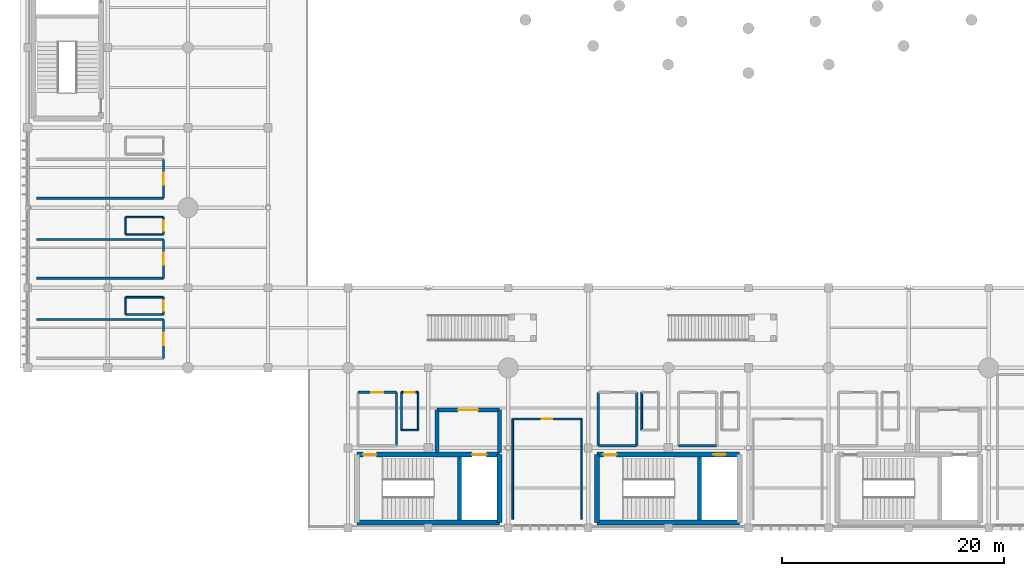
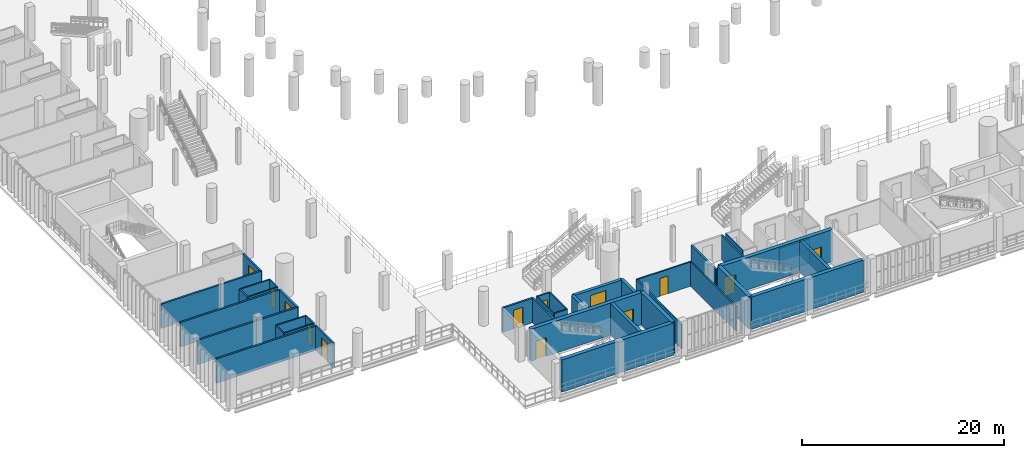
# One storey, part 101 of 130: 40 walls, 13 doors, 13 openings.
"""IFC4 building model written with IfcOpenShell, lengths in metres."""

from ifc_helpers import new_model, si_unit, direction, frame, frame_2d, origin, place, context, subcontext, project, spatial, rectangle, extrude, material, layer, layer_set, type_object, element, fill, save


model = new_model("IFC4")

# Units and contexts
model_context = context("Model", 3, precision=1e-05, world=origin(), true_north=direction((0.0, 1.0)))
body_context = subcontext(model_context, "Body", "Model", "MODEL_VIEW")
ifc_project = project(units=[si_unit("LENGTHUNIT", "METRE"), si_unit("AREAUNIT", "SQUARE_METRE"), si_unit("VOLUMEUNIT", "CUBIC_METRE"), si_unit("PLANEANGLEUNIT", "RADIAN"), si_unit("MASSUNIT", "GRAM", prefix="KILO")], contexts=[model_context])

# Site, building, storey
site_placement = place(None, origin())
site = spatial("IfcSite", under=ifc_project, at=site_placement, CompositionType="ELEMENT")
building_placement = place(site_placement, origin())
building = spatial("IfcBuilding", under=site, at=building_placement, Name="Qandorah Velis Arena", CompositionType="ELEMENT")
storey_placement = place(building_placement, frame((0.0, 0.0, 9.60009765625)))
storey = spatial("IfcBuildingStorey", under=building, at=storey_placement, Name="L02", CompositionType="ELEMENT", Elevation=9.60009765625)

# Wall, opening, door
ifc_material_1 = material(Name="Concrete C35/45", Category="concrete")
ifc_layer_1 = layer(ifc_material_1, 0.199951171875)
ifc_layer_set_1 = layer_set([ifc_layer_1], Name="Concrete C35/45")
wall_type_1 = type_object("IfcWallType", Name="ARC-WAL-FD60-200", PredefinedType="PARTITIONING", material=ifc_layer_set_1)
wall_1_placement = place(storey_placement, frame((12.199951171875, 15.25, 0.0), z_axis=(0.0, 0.0, 1.0), x_axis=(0.0, 1.0, 0.0)))
wall_1 = element("IfcWall", 1, at=wall_1_placement, inside=storey, type_object=wall_type_1, Name="Interior partition L02-HS-01 (E)", PredefinedType="PARTITIONING", context=body_context, shape_type="SweptSolid", body=[
    extrude(rectangle(XDim=3.5, YDim=0.199951171875, at=frame_2d((1.75, 0.0))), origin(), (0.0, 0.0, 1.0), 2.93994140625),
])
opening_1_placement = place(wall_1_placement, frame((1.199951171875, 0.0, 0.0)))
opening_1 = element("IfcOpeningElement", 2, at=opening_1_placement, cuts=wall_1, Name="Opening D7", PredefinedType="OPENING", context=body_context, shape_type="SweptSolid", body=[
    extrude(rectangle(XDim=1.10009765625, YDim=2.25, at=frame_2d((0.550048828125, 1.125))), frame((0.0, 0.10986328125, 0.0), z_axis=(0.0, -1.0, 0.0), x_axis=(1.0, 0.0, 0.0)), (0.0, 0.0, 1.0), 0.219970703125),
])
ifc_material_2 = material(Name="Hospitality suite acoustic walnut door")
door_type_1 = type_object("IfcDoorType", Name="ARC-DR-INT1100", OperationType="NOTDEFINED", PredefinedType="DOOR", material=ifc_material_2)
door_1_placement = place(opening_1_placement, origin())
door_1 = element("IfcDoor", 3, at=door_1_placement, inside=storey, type_object=door_type_1, Name="Door L02-HS-01", OperationType="SINGLE_SWING_LEFT", OverallHeight=2.25, OverallWidth=1.10009765625, PredefinedType="DOOR", context=body_context, shape_type="SweptSolid", body=[
    extrude(rectangle(XDim=1.10009765625, YDim=2.25, at=frame_2d((0.550048828125, 1.125))), frame((0.0, 0.02490234375, 0.0), z_axis=(0.0, -1.0, 0.0), x_axis=(1.0, 0.0, 0.0)), (0.0, 0.0, 1.0), 0.050048828125),
])
fill(opening_1, door_1)

# Walls
for number, where, z_axis, x_axis, name in (
    (4, (12.199951171875, 18.75, 0.0), (0.0, 0.0, 1.0), (-1.0, 0.0, 0.0), "Interior partition L02-HS-01 (N)"),
    (5, (0.800048828125, 22.449951171875, 0.0), (0.0, 0.0, 1.0), (1.0, 0.0, 0.0), "Interior partition L02-HS-02 (S)"),
):
    element("IfcWall", number, at=place(storey_placement, frame(where, z_axis=z_axis, x_axis=x_axis)), inside=storey, type_object=wall_type_1, Name=name, PredefinedType="PARTITIONING", context=body_context, shape_type="SweptSolid", body=[
        extrude(rectangle(XDim=11.39990234375, YDim=0.199951171875, at=frame_2d((5.699951171875, 0.0))), origin(), (0.0, 0.0, 1.0), 2.93994140625),
    ])

# Wall, opening, door
wall_2_placement = place(storey_placement, frame((12.199951171875, 22.449951171875, 0.0), z_axis=(0.0, 0.0, 1.0), x_axis=(0.0, 1.0, 0.0)))
wall_2 = element("IfcWall", 6, at=wall_2_placement, inside=storey, type_object=wall_type_1, Name="Interior partition L02-HS-02 (E)", PredefinedType="PARTITIONING", context=body_context, shape_type="SweptSolid", body=[
    extrude(rectangle(XDim=3.5, YDim=0.199951171875, at=frame_2d((1.75, 0.0))), origin(), (0.0, 0.0, 1.0), 2.93994140625),
])
opening_2_placement = place(wall_2_placement, frame((1.199951171875, 0.0, 0.0)))
opening_2 = element("IfcOpeningElement", 7, at=opening_2_placement, cuts=wall_2, Name="Opening D7", PredefinedType="OPENING", context=body_context, shape_type="SweptSolid", body=[
    extrude(rectangle(XDim=1.10009765625, YDim=2.25, at=frame_2d((0.550048828125, 1.125))), frame((0.0, 0.10986328125, 0.0), z_axis=(0.0, -1.0, 0.0), x_axis=(1.0, 0.0, 0.0)), (0.0, 0.0, 1.0), 0.219970703125),
])
door_2_placement = place(opening_2_placement, origin())
door_2 = element("IfcDoor", 8, at=door_2_placement, inside=storey, type_object=door_type_1, Name="Door L02-HS-02", OperationType="SINGLE_SWING_LEFT", OverallHeight=2.25, OverallWidth=1.10009765625, PredefinedType="DOOR", context=body_context, shape_type="SweptSolid", body=[
    extrude(rectangle(XDim=1.10009765625, YDim=2.25, at=frame_2d((0.550048828125, 1.125))), frame((0.0, 0.02490234375, 0.0), z_axis=(0.0, -1.0, 0.0), x_axis=(1.0, 0.0, 0.0)), (0.0, 0.0, 1.0), 0.050048828125),
])
fill(opening_2, door_2)

# Walls
for number, where, z_axis, x_axis, name in (
    (9, (12.199951171875, 25.949951171875, 0.0), (0.0, 0.0, 1.0), (-1.0, 0.0, 0.0), "Interior partition L02-HS-02 (N)"),
    (10, (0.800048828125, 29.64990234375, 0.0), (0.0, 0.0, 1.0), (1.0, 0.0, 0.0), "Interior partition L02-HS-03 (S)"),
):
    element("IfcWall", number, at=place(storey_placement, frame(where, z_axis=z_axis, x_axis=x_axis)), inside=storey, type_object=wall_type_1, Name=name, PredefinedType="PARTITIONING", context=body_context, shape_type="SweptSolid", body=[
        extrude(rectangle(XDim=11.39990234375, YDim=0.199951171875, at=frame_2d((5.699951171875, 0.0))), origin(), (0.0, 0.0, 1.0), 2.93994140625),
    ])

# Wall, opening, door
wall_3_placement = place(storey_placement, frame((12.199951171875, 29.64990234375, 0.0), z_axis=(0.0, 0.0, 1.0), x_axis=(0.0, 1.0, 0.0)))
wall_3 = element("IfcWall", 11, at=wall_3_placement, inside=storey, type_object=wall_type_1, Name="Interior partition L02-HS-03 (E)", PredefinedType="PARTITIONING", context=body_context, shape_type="SweptSolid", body=[
    extrude(rectangle(XDim=3.5, YDim=0.199951171875, at=frame_2d((1.75, 0.0))), origin(), (0.0, 0.0, 1.0), 2.93994140625),
])
opening_3_placement = place(wall_3_placement, frame((1.199951171875, 0.0, 0.0)))
opening_3 = element("IfcOpeningElement", 12, at=opening_3_placement, cuts=wall_3, Name="Opening D7", PredefinedType="OPENING", context=body_context, shape_type="SweptSolid", body=[
    extrude(rectangle(XDim=1.10009765625, YDim=2.25, at=frame_2d((0.550048828125, 1.125))), frame((0.0, 0.10986328125, 0.0), z_axis=(0.0, -1.0, 0.0), x_axis=(1.0, 0.0, 0.0)), (0.0, 0.0, 1.0), 0.219970703125),
])
door_3_placement = place(opening_3_placement, origin())
door_3 = element("IfcDoor", 13, at=door_3_placement, inside=storey, type_object=door_type_1, Name="Door L02-HS-03", OperationType="SINGLE_SWING_LEFT", OverallHeight=2.25, OverallWidth=1.10009765625, PredefinedType="DOOR", context=body_context, shape_type="SweptSolid", body=[
    extrude(rectangle(XDim=1.10009765625, YDim=2.25, at=frame_2d((0.550048828125, 1.125))), frame((0.0, 0.02490234375, 0.0), z_axis=(0.0, -1.0, 0.0), x_axis=(1.0, 0.0, 0.0)), (0.0, 0.0, 1.0), 0.050048828125),
])
fill(opening_3, door_3)

# Wall
wall_4_placement = place(storey_placement, frame((33.14990234375, 7.39990234375, 0.0), z_axis=(0.0, 0.0, 1.0), x_axis=(0.0, 1.0, 0.0)))
element("IfcWall", 14, at=wall_4_placement, inside=storey, type_object=wall_type_1, Name="Interior partition L02-HS-11 (E)", PredefinedType="PARTITIONING", context=body_context, shape_type="SweptSolid", body=[
    extrude(rectangle(XDim=4.800048828125, YDim=0.199951171875, at=frame_2d((2.39990234375, 0.0))), origin(), (0.0, 0.0, 1.0), 2.93994140625),
])

# Wall, opening, door
wall_5_placement = place(storey_placement, frame((33.14990234375, 12.199951171875, 0.0), z_axis=(0.0, 0.0, 1.0), x_axis=(-1.0, 0.0, 0.0)))
wall_5 = element("IfcWall", 15, at=wall_5_placement, inside=storey, type_object=wall_type_1, Name="Interior partition L02-HS-11 (N)", PredefinedType="PARTITIONING", context=body_context, shape_type="SweptSolid", body=[
    extrude(rectangle(XDim=3.449951171875, YDim=0.199951171875, at=frame_2d((1.72509765625, 0.0))), origin(), (0.0, 0.0, 1.0), 2.93994140625),
])
opening_4_placement = place(wall_5_placement, frame((1.175048828125, 0.0, 0.0)))
opening_4 = element("IfcOpeningElement", 16, at=opening_4_placement, cuts=wall_5, Name="Opening D7", PredefinedType="OPENING", context=body_context, shape_type="SweptSolid", body=[
    extrude(rectangle(XDim=1.10009765625, YDim=2.25, at=frame_2d((0.550048828125, 1.125))), frame((0.0, 0.10986328125, 0.0), z_axis=(0.0, -1.0, 0.0), x_axis=(1.0, 0.0, 0.0)), (0.0, 0.0, 1.0), 0.219970703125),
])
door_4_placement = place(opening_4_placement, origin())
door_4 = element("IfcDoor", 17, at=door_4_placement, inside=storey, type_object=door_type_1, Name="Door L02-HS-11", OperationType="SINGLE_SWING_LEFT", OverallHeight=2.25, OverallWidth=1.10009765625, PredefinedType="DOOR", context=body_context, shape_type="SweptSolid", body=[
    extrude(rectangle(XDim=1.10009765625, YDim=2.25, at=frame_2d((0.550048828125, 1.125))), frame((0.0, 0.02490234375, 0.0), z_axis=(0.0, -1.0, 0.0), x_axis=(1.0, 0.0, 0.0)), (0.0, 0.0, 1.0), 0.050048828125),
])
fill(opening_4, door_4)

# Walls
wall_6_placement = place(storey_placement, frame((51.300048828125, 7.39990234375, 0.0), z_axis=(0.0, 0.0, 1.0), x_axis=(1.0, 0.0, 0.0)))
element("IfcWall", 18, at=wall_6_placement, inside=storey, type_object=wall_type_1, Name="Interior partition L02-HS-12 (S)", PredefinedType="PARTITIONING", context=body_context, shape_type="SweptSolid", body=[
    extrude(rectangle(XDim=3.449951171875, YDim=0.199951171875, at=frame_2d((1.72509765625, 0.0))), origin(), (0.0, 0.0, 1.0), 2.93994140625),
])
for number, where, z_axis, x_axis, name in (
    (19, (54.75, 7.39990234375, 0.0), (0.0, 0.0, 1.0), (0.0, 1.0, 0.0), "Interior partition L02-HS-12 (E)"),
    (20, (51.300048828125, 12.199951171875, 0.0), (0.0, 0.0, 1.0), (0.0, -1.0, 0.0), "Interior partition L02-HS-12 (W)"),
):
    element("IfcWall", number, at=place(storey_placement, frame(where, z_axis=z_axis, x_axis=x_axis)), inside=storey, type_object=wall_type_1, Name=name, PredefinedType="PARTITIONING", context=body_context, shape_type="SweptSolid", body=[
        extrude(rectangle(XDim=4.800048828125, YDim=0.199951171875, at=frame_2d((2.39990234375, 0.0))), origin(), (0.0, 0.0, 1.0), 2.93994140625),
    ])
wall_7_placement = place(storey_placement, frame((58.5, 7.39990234375, 0.0), z_axis=(0.0, 0.0, 1.0), x_axis=(1.0, 0.0, 0.0)))
element("IfcWall", 21, at=wall_7_placement, inside=storey, type_object=wall_type_1, Name="Interior partition L02-HS-13 (S)", PredefinedType="PARTITIONING", context=body_context, shape_type="SweptSolid", body=[
    extrude(rectangle(XDim=3.449951171875, YDim=0.199951171875, at=frame_2d((1.72509765625, 0.0))), origin(), (0.0, 0.0, 1.0), 2.93994140625),
])
ifc_layer_2 = layer(ifc_material_1, 0.14990234375)
ifc_layer_set_2 = layer_set([ifc_layer_2], Name="Concrete C35/45")
wall_type_2 = type_object("IfcWallType", Name="ARC-WAL-PART150", PredefinedType="PARTITIONING", material=ifc_layer_set_2)
wall_8_placement = place(storey_placement, frame((49.800048828125, 0.800048828125, 0.0), z_axis=(0.0, 0.0, 1.0), x_axis=(0.0, 1.0, 0.0)))
element("IfcWall", 22, at=wall_8_placement, inside=storey, type_object=wall_type_2, Name="Interior partition L02-L02-MWC1 (E)", PredefinedType="PARTITIONING", context=body_context, shape_type="SweptSolid", body=[
    extrude(rectangle(XDim=9.0, YDim=0.14990234375, at=frame_2d((4.5, 0.0))), origin(), (0.0, 0.0, 1.0), 2.93994140625),
])

# Wall, opening, door
wall_9_placement = place(storey_placement, frame((49.800048828125, 9.800048828125, 0.0), z_axis=(0.0, 0.0, 1.0), x_axis=(-1.0, 0.0, 0.0)))
wall_9 = element("IfcWall", 23, at=wall_9_placement, inside=storey, type_object=wall_type_2, Name="Interior partition L02-L02-MWC1 (N)", PredefinedType="PARTITIONING", context=body_context, shape_type="SweptSolid", body=[
    extrude(rectangle(XDim=6.199951171875, YDim=0.14990234375, at=frame_2d((3.10009765625, 0.0))), origin(), (0.0, 0.0, 1.0), 2.93994140625),
])
opening_5_placement = place(wall_9_placement, frame((2.625, 0.0, 0.0)))
opening_5 = element("IfcOpeningElement", 24, at=opening_5_placement, cuts=wall_9, Name="Opening D4", PredefinedType="OPENING", context=body_context, shape_type="SweptSolid", body=[
    extrude(rectangle(XDim=0.949951171875, YDim=2.14990234375, at=frame_2d((0.47509765625, 1.074951171875))), frame((0.0, 0.0849609375, 0.0), z_axis=(0.0, -1.0, 0.0), x_axis=(1.0, 0.0, 0.0)), (0.0, 0.0, 1.0), 0.169921875),
])
ifc_material_3 = material(Name="Moisture-resistant laminate door")
door_type_2 = type_object("IfcDoorType", Name="ARC-DR-WC950", OperationType="NOTDEFINED", PredefinedType="DOOR", material=ifc_material_3)
door_5_placement = place(opening_5_placement, origin())
door_5 = element("IfcDoor", 25, at=door_5_placement, inside=storey, type_object=door_type_2, Name="Door L02-L02-MWC1", OperationType="SINGLE_SWING_LEFT", OverallHeight=2.14990234375, OverallWidth=0.949951171875, PredefinedType="DOOR", context=body_context, shape_type="SweptSolid", body=[
    extrude(rectangle(XDim=0.949951171875, YDim=2.14990234375, at=frame_2d((0.47509765625, 1.074951171875))), frame((0.0, 0.02490234375, 0.0), z_axis=(0.0, -1.0, 0.0), x_axis=(1.0, 0.0, 0.0)), (0.0, 0.0, 1.0), 0.050048828125),
])
fill(opening_5, door_5)

# Walls
wall_10_placement = place(storey_placement, frame((43.60009765625, 9.800048828125, 0.0), z_axis=(0.0, 0.0, 1.0), x_axis=(0.0, -1.0, 0.0)))
element("IfcWall", 26, at=wall_10_placement, inside=storey, type_object=wall_type_2, Name="Interior partition L02-L02-MWC1 (W)", PredefinedType="PARTITIONING", context=body_context, shape_type="SweptSolid", body=[
    extrude(rectangle(XDim=9.0, YDim=0.14990234375, at=frame_2d((4.5, 0.0))), origin(), (0.0, 0.0, 1.0), 2.93994140625),
])
wall_11_placement = place(storey_placement, frame((8.800048828125, 19.199951171875, 0.0), z_axis=(0.0, 0.0, 1.0), x_axis=(1.0, 0.0, 0.0)))
element("IfcWall", 27, at=wall_11_placement, inside=storey, type_object=wall_type_2, Name="Interior partition L02-HSWC-01 (S)", PredefinedType="PARTITIONING", context=body_context, shape_type="SweptSolid", body=[
    extrude(rectangle(XDim=3.39990234375, YDim=0.14990234375, at=frame_2d((1.699951171875, 0.0))), origin(), (0.0, 0.0, 1.0), 2.93994140625),
])

# Wall, opening, door
wall_12_placement = place(storey_placement, frame((12.199951171875, 19.199951171875, 0.0), z_axis=(0.0, 0.0, 1.0), x_axis=(0.0, 1.0, 0.0)))
wall_12 = element("IfcWall", 28, at=wall_12_placement, inside=storey, type_object=wall_type_2, Name="Interior partition L02-HSWC-01 (E)", PredefinedType="PARTITIONING", context=body_context, shape_type="SweptSolid", body=[
    extrude(rectangle(XDim=1.550048828125, YDim=0.14990234375, at=frame_2d((0.77490234375, 0.0))), origin(), (0.0, 0.0, 1.0), 2.93994140625),
])
opening_6_placement = place(wall_12_placement, frame((0.324951171875, 0.0, 0.0)))
opening_6 = element("IfcOpeningElement", 29, at=opening_6_placement, cuts=wall_12, Name="Opening D8", PredefinedType="OPENING", context=body_context, shape_type="SweptSolid", body=[
    extrude(rectangle(XDim=0.89990234375, YDim=2.14990234375, at=frame_2d((0.449951171875, 1.074951171875))), frame((0.0, 0.0849609375, 0.0), z_axis=(0.0, -1.0, 0.0), x_axis=(1.0, 0.0, 0.0)), (0.0, 0.0, 1.0), 0.169921875),
])
ifc_material_4 = material(Name="Suite en-suite walnut door")
door_type_3 = type_object("IfcDoorType", Name="ARC-DR-WC900", OperationType="NOTDEFINED", PredefinedType="DOOR", material=ifc_material_4)
door_6_placement = place(opening_6_placement, frame((0.89990234375, 0.0, 0.0), z_axis=(0.0, 0.0, 1.0), x_axis=(-1.0, 0.0, 0.0)))
door_6 = element("IfcDoor", 30, at=door_6_placement, inside=storey, type_object=door_type_3, Name="Door L02-HSWC-01", OperationType="SINGLE_SWING_RIGHT", OverallHeight=2.14990234375, OverallWidth=0.89990234375, PredefinedType="DOOR", context=body_context, shape_type="SweptSolid", body=[
    extrude(rectangle(XDim=0.89990234375, YDim=2.14990234375, at=frame_2d((0.449951171875, 1.074951171875))), frame((0.0, 0.02490234375, 0.0), z_axis=(0.0, -1.0, 0.0), x_axis=(1.0, 0.0, 0.0)), (0.0, 0.0, 1.0), 0.050048828125),
])
fill(opening_6, door_6)

# Walls
wall_13_placement = place(storey_placement, frame((12.199951171875, 20.75, 0.0), z_axis=(0.0, 0.0, 1.0), x_axis=(-1.0, 0.0, 0.0)))
element("IfcWall", 31, at=wall_13_placement, inside=storey, type_object=wall_type_2, Name="Interior partition L02-HSWC-01 (N)", PredefinedType="PARTITIONING", context=body_context, shape_type="SweptSolid", body=[
    extrude(rectangle(XDim=3.39990234375, YDim=0.14990234375, at=frame_2d((1.699951171875, 0.0))), origin(), (0.0, 0.0, 1.0), 2.93994140625),
])
wall_14_placement = place(storey_placement, frame((8.800048828125, 20.75, 0.0), z_axis=(0.0, 0.0, 1.0), x_axis=(0.0, -1.0, 0.0)))
element("IfcWall", 32, at=wall_14_placement, inside=storey, type_object=wall_type_2, Name="Interior partition L02-HSWC-01 (W)", PredefinedType="PARTITIONING", context=body_context, shape_type="SweptSolid", body=[
    extrude(rectangle(XDim=1.550048828125, YDim=0.14990234375, at=frame_2d((0.77490234375, 0.0))), origin(), (0.0, 0.0, 1.0), 2.93994140625),
])
wall_15_placement = place(storey_placement, frame((8.800048828125, 26.39990234375, 0.0), z_axis=(0.0, 0.0, 1.0), x_axis=(1.0, 0.0, 0.0)))
element("IfcWall", 33, at=wall_15_placement, inside=storey, type_object=wall_type_2, Name="Interior partition L02-HSWC-02 (S)", PredefinedType="PARTITIONING", context=body_context, shape_type="SweptSolid", body=[
    extrude(rectangle(XDim=3.39990234375, YDim=0.14990234375, at=frame_2d((1.699951171875, 0.0))), origin(), (0.0, 0.0, 1.0), 2.93994140625),
])

# Wall, opening, door
wall_16_placement = place(storey_placement, frame((12.199951171875, 26.39990234375, 0.0), z_axis=(0.0, 0.0, 1.0), x_axis=(0.0, 1.0, 0.0)))
wall_16 = element("IfcWall", 34, at=wall_16_placement, inside=storey, type_object=wall_type_2, Name="Interior partition L02-HSWC-02 (E)", PredefinedType="PARTITIONING", context=body_context, shape_type="SweptSolid", body=[
    extrude(rectangle(XDim=1.550048828125, YDim=0.14990234375, at=frame_2d((0.77490234375, 0.0))), origin(), (0.0, 0.0, 1.0), 2.93994140625),
])
opening_7_placement = place(wall_16_placement, frame((0.324951171875, 0.0, 0.0)))
opening_7 = element("IfcOpeningElement", 35, at=opening_7_placement, cuts=wall_16, Name="Opening D8", PredefinedType="OPENING", context=body_context, shape_type="SweptSolid", body=[
    extrude(rectangle(XDim=0.89990234375, YDim=2.14990234375, at=frame_2d((0.449951171875, 1.074951171875))), frame((0.0, 0.0849609375, 0.0), z_axis=(0.0, -1.0, 0.0), x_axis=(1.0, 0.0, 0.0)), (0.0, 0.0, 1.0), 0.169921875),
])
door_7_placement = place(opening_7_placement, frame((0.89990234375, 0.0, 0.0), z_axis=(0.0, 0.0, 1.0), x_axis=(-1.0, 0.0, 0.0)))
door_7 = element("IfcDoor", 36, at=door_7_placement, inside=storey, type_object=door_type_3, Name="Door L02-HSWC-02", OperationType="SINGLE_SWING_RIGHT", OverallHeight=2.14990234375, OverallWidth=0.89990234375, PredefinedType="DOOR", context=body_context, shape_type="SweptSolid", body=[
    extrude(rectangle(XDim=0.89990234375, YDim=2.14990234375, at=frame_2d((0.449951171875, 1.074951171875))), frame((0.0, 0.02490234375, 0.0), z_axis=(0.0, -1.0, 0.0), x_axis=(1.0, 0.0, 0.0)), (0.0, 0.0, 1.0), 0.050048828125),
])
fill(opening_7, door_7)

# Walls
wall_17_placement = place(storey_placement, frame((12.199951171875, 27.949951171875, 0.0), z_axis=(0.0, 0.0, 1.0), x_axis=(-1.0, 0.0, 0.0)))
element("IfcWall", 37, at=wall_17_placement, inside=storey, type_object=wall_type_2, Name="Interior partition L02-HSWC-02 (N)", PredefinedType="PARTITIONING", context=body_context, shape_type="SweptSolid", body=[
    extrude(rectangle(XDim=3.39990234375, YDim=0.14990234375, at=frame_2d((1.699951171875, 0.0))), origin(), (0.0, 0.0, 1.0), 2.93994140625),
])
wall_18_placement = place(storey_placement, frame((8.800048828125, 27.949951171875, 0.0), z_axis=(0.0, 0.0, 1.0), x_axis=(0.0, -1.0, 0.0)))
element("IfcWall", 38, at=wall_18_placement, inside=storey, type_object=wall_type_2, Name="Interior partition L02-HSWC-02 (W)", PredefinedType="PARTITIONING", context=body_context, shape_type="SweptSolid", body=[
    extrude(rectangle(XDim=1.550048828125, YDim=0.14990234375, at=frame_2d((0.77490234375, 0.0))), origin(), (0.0, 0.0, 1.0), 2.93994140625),
])
wall_19_placement = place(storey_placement, frame((33.60009765625, 8.800048828125, 0.0), z_axis=(0.0, 0.0, 1.0), x_axis=(1.0, 0.0, 0.0)))
element("IfcWall", 39, at=wall_19_placement, inside=storey, type_object=wall_type_2, Name="Interior partition L02-HSWC-11 (S)", PredefinedType="PARTITIONING", context=body_context, shape_type="SweptSolid", body=[
    extrude(rectangle(XDim=1.5, YDim=0.14990234375, at=frame_2d((0.75, 0.0))), origin(), (0.0, 0.0, 1.0), 2.93994140625),
])
wall_20_placement = place(storey_placement, frame((35.10009765625, 8.800048828125, 0.0), z_axis=(0.0, 0.0, 1.0), x_axis=(0.0, 1.0, 0.0)))
element("IfcWall", 40, at=wall_20_placement, inside=storey, type_object=wall_type_2, Name="Interior partition L02-HSWC-11 (E)", PredefinedType="PARTITIONING", context=body_context, shape_type="SweptSolid", body=[
    extrude(rectangle(XDim=3.39990234375, YDim=0.14990234375, at=frame_2d((1.699951171875, 0.0))), origin(), (0.0, 0.0, 1.0), 2.93994140625),
])

# Wall, opening, door
wall_21_placement = place(storey_placement, frame((35.10009765625, 12.199951171875, 0.0), z_axis=(0.0, 0.0, 1.0), x_axis=(-1.0, 0.0, 0.0)))
wall_21 = element("IfcWall", 41, at=wall_21_placement, inside=storey, type_object=wall_type_2, Name="Interior partition L02-HSWC-11 (N)", PredefinedType="PARTITIONING", context=body_context, shape_type="SweptSolid", body=[
    extrude(rectangle(XDim=1.5, YDim=0.14990234375, at=frame_2d((0.75, 0.0))), origin(), (0.0, 0.0, 1.0), 2.93994140625),
])
opening_8_placement = place(wall_21_placement, frame((0.300048828125, 0.0, 0.0)))
opening_8 = element("IfcOpeningElement", 42, at=opening_8_placement, cuts=wall_21, Name="Opening D8", PredefinedType="OPENING", context=body_context, shape_type="SweptSolid", body=[
    extrude(rectangle(XDim=0.89990234375, YDim=2.14990234375, at=frame_2d((0.449951171875, 1.074951171875))), frame((0.0, 0.0849609375, 0.0), z_axis=(0.0, -1.0, 0.0), x_axis=(1.0, 0.0, 0.0)), (0.0, 0.0, 1.0), 0.169921875),
])
door_8_placement = place(opening_8_placement, frame((0.89990234375, 0.0, 0.0), z_axis=(0.0, 0.0, 1.0), x_axis=(-1.0, 0.0, 0.0)))
door_8 = element("IfcDoor", 43, at=door_8_placement, inside=storey, type_object=door_type_3, Name="Door L02-HSWC-11", OperationType="SINGLE_SWING_RIGHT", OverallHeight=2.14990234375, OverallWidth=0.89990234375, PredefinedType="DOOR", context=body_context, shape_type="SweptSolid", body=[
    extrude(rectangle(XDim=0.89990234375, YDim=2.14990234375, at=frame_2d((0.449951171875, 1.074951171875))), frame((0.0, 0.02490234375, 0.0), z_axis=(0.0, -1.0, 0.0), x_axis=(1.0, 0.0, 0.0)), (0.0, 0.0, 1.0), 0.050048828125),
])
fill(opening_8, door_8)

# Walls
for number, where, z_axis, x_axis, name in (
    (44, (33.60009765625, 12.199951171875, 0.0), (0.0, 0.0, 1.0), (0.0, -1.0, 0.0), "Interior partition L02-HSWC-11 (W)"),
    (45, (55.199951171875, 12.199951171875, 0.0), (0.0, 0.0, 1.0), (0.0, -1.0, 0.0), "Interior partition L02-HSWC-12 (W)"),
):
    element("IfcWall", number, at=place(storey_placement, frame(where, z_axis=z_axis, x_axis=x_axis)), inside=storey, type_object=wall_type_2, Name=name, PredefinedType="PARTITIONING", context=body_context, shape_type="SweptSolid", body=[
        extrude(rectangle(XDim=3.39990234375, YDim=0.14990234375, at=frame_2d((1.699951171875, 0.0))), origin(), (0.0, 0.0, 1.0), 2.93994140625),
    ])
ifc_material_5 = material(Name="Concrete C40/50", Category="concrete")
ifc_layer_3 = layer(ifc_material_5, 0.449951171875)
ifc_layer_set_3 = layer_set([ifc_layer_3], Name="Concrete C40/50")
wall_type_3 = type_object("IfcWallType", Name="STR-WAL-CORE450", PredefinedType="SHEAR", material=ifc_layer_set_3)
wall_22_placement = place(storey_placement, frame((29.60009765625, 0.5, 0.0), z_axis=(0.0, 0.0, 1.0), x_axis=(1.0, 0.0, 0.0)))
element("IfcWall", 46, at=wall_22_placement, inside=storey, type_object=wall_type_3, Name="Core CORE-01 shear wall S (L02)", PredefinedType="SHEAR", context=body_context, shape_type="SweptSolid", body=[
    extrude(rectangle(XDim=12.7998046875, YDim=0.449951171875, at=frame_2d((6.39990234375, 0.0))), origin(), (0.0, 0.0, 1.0), 3.8798828125),
])

# Wall, openings, doors
wall_23_placement = place(storey_placement, frame((29.60009765625, 6.60009765625, 0.0), z_axis=(0.0, 0.0, 1.0), x_axis=(1.0, 0.0, 0.0)))
wall_23 = element("IfcWall", 47, at=wall_23_placement, inside=storey, type_object=wall_type_3, Name="Core CORE-01 shear wall N (L02)", PredefinedType="SHEAR", context=body_context, shape_type="SweptSolid", body=[
    extrude(rectangle(XDim=12.7998046875, YDim=0.449951171875, at=frame_2d((6.39990234375, 0.0))), origin(), (0.0, 0.0, 1.0), 3.8798828125),
])
opening_9_placement = place(wall_23_placement, frame((0.550048828125, 0.0, 0.0)))
opening_9 = element("IfcOpeningElement", 48, at=opening_9_placement, cuts=wall_23, Name="Opening SD1", PredefinedType="OPENING", context=body_context, shape_type="SweptSolid", body=[
    extrude(rectangle(XDim=1.199951171875, YDim=2.25, at=frame_2d((0.60009765625, 1.125))), frame((0.0, 0.23486328125, 0.0), z_axis=(0.0, -1.0, 0.0), x_axis=(1.0, 0.0, 0.0)), (0.0, 0.0, 1.0), 0.469970703125),
])
opening_10_placement = place(wall_23_placement, frame((10.35791015625, 0.0, 0.0)))
opening_10 = element("IfcOpeningElement", 49, at=opening_10_placement, cuts=wall_23, Name="Opening LD2", PredefinedType="OPENING", context=body_context, shape_type="SweptSolid", body=[
    extrude(rectangle(XDim=1.300048828125, YDim=2.25, at=frame_2d((0.64990234375, 1.125))), frame((0.0, 0.23486328125, 0.0), z_axis=(0.0, -1.0, 0.0), x_axis=(1.0, 0.0, 0.0)), (0.0, 0.0, 1.0), 0.469970703125),
])
ifc_material_6 = material(Name="Firefighting stainless sliding lift landing door", Category="steel")
door_type_4 = type_object("IfcDoorType", Name="ARC-DR-LD1300", OperationType="NOTDEFINED", PredefinedType="DOOR", material=ifc_material_6)
door_9_placement = place(opening_10_placement, origin())
door_9 = element("IfcDoor", 50, at=door_9_placement, inside=storey, type_object=door_type_4, Name="Lift FL1 sliding landing door (L02)", OperationType="SLIDING_TO_RIGHT", OverallHeight=2.25, OverallWidth=1.300048828125, PredefinedType="DOOR", context=body_context, shape_type="SweptSolid", body=[
    extrude(rectangle(XDim=1.300048828125, YDim=2.25, at=frame_2d((0.64990234375, 1.125))), frame((0.0, 0.02490234375, 0.0), z_axis=(0.0, -1.0, 0.0), x_axis=(1.0, 0.0, 0.0)), (0.0, 0.0, 1.0), 0.050048828125),
])
fill(opening_10, door_9)
ifc_material_7 = material(Name="Self-closing fire-rated stair steel door", Category="steel")
door_type_5 = type_object("IfcDoorType", Name="ARC-DR-ST1200", OperationType="NOTDEFINED", PredefinedType="DOOR", material=ifc_material_7)
door_10_placement = place(opening_9_placement, frame((1.199951171875, 0.0, 0.0), z_axis=(0.0, 0.0, 1.0), x_axis=(-1.0, 0.0, 0.0)))
door_10 = element("IfcDoor", 51, at=door_10_placement, inside=storey, type_object=door_type_5, Name="Stair ST1 fire door (L02)", OperationType="SINGLE_SWING_LEFT", OverallHeight=2.25, OverallWidth=1.199951171875, PredefinedType="DOOR", context=body_context, shape_type="SweptSolid", body=[
    extrude(rectangle(XDim=1.199951171875, YDim=2.25, at=frame_2d((0.60009765625, 1.125))), frame((0.0, 0.02490234375, 0.0), z_axis=(0.0, -1.0, 0.0), x_axis=(1.0, 0.0, 0.0)), (0.0, 0.0, 1.0), 0.050048828125),
])
fill(opening_9, door_10)

# Walls
wall_24_placement = place(storey_placement, frame((42.39990234375, 0.5, 0.0), z_axis=(0.0, 0.0, 1.0), x_axis=(0.0, 1.0, 0.0)))
element("IfcWall", 52, at=wall_24_placement, inside=storey, type_object=wall_type_3, Name="Core CORE-01 shear wall E (L02)", PredefinedType="SHEAR", context=body_context, shape_type="SweptSolid", body=[
    extrude(rectangle(XDim=6.10009765625, YDim=0.449951171875, at=frame_2d((3.050048828125, 0.0))), origin(), (0.0, 0.0, 1.0), 3.8798828125),
])
wall_25_placement = place(storey_placement, frame((51.199951171875, 0.5, 0.0), z_axis=(0.0, 0.0, 1.0), x_axis=(1.0, 0.0, 0.0)))
element("IfcWall", 53, at=wall_25_placement, inside=storey, type_object=wall_type_3, Name="Core CORE-09 shear wall S (L02)", PredefinedType="SHEAR", context=body_context, shape_type="SweptSolid", body=[
    extrude(rectangle(XDim=12.800048828125, YDim=0.449951171875, at=frame_2d((6.39990234375, 0.0))), origin(), (0.0, 0.0, 1.0), 3.8798828125),
])

# Wall, openings, doors
wall_26_placement = place(storey_placement, frame((51.199951171875, 6.60009765625, 0.0), z_axis=(0.0, 0.0, 1.0), x_axis=(1.0, 0.0, 0.0)))
wall_26 = element("IfcWall", 54, at=wall_26_placement, inside=storey, type_object=wall_type_3, Name="Core CORE-09 shear wall N (L02)", PredefinedType="SHEAR", context=body_context, shape_type="SweptSolid", body=[
    extrude(rectangle(XDim=12.800048828125, YDim=0.449951171875, at=frame_2d((6.39990234375, 0.0))), origin(), (0.0, 0.0, 1.0), 3.8798828125),
])
opening_11_placement = place(wall_26_placement, frame((0.550048828125, 0.0, 0.0)))
opening_11 = element("IfcOpeningElement", 55, at=opening_11_placement, cuts=wall_26, Name="Opening SD1", PredefinedType="OPENING", context=body_context, shape_type="SweptSolid", body=[
    extrude(rectangle(XDim=1.199951171875, YDim=2.25, at=frame_2d((0.60009765625, 1.125))), frame((0.0, 0.23486328125, 0.0), z_axis=(0.0, -1.0, 0.0), x_axis=(1.0, 0.0, 0.0)), (0.0, 0.0, 1.0), 0.469970703125),
])
opening_12_placement = place(wall_26_placement, frame((10.4580078125, 0.0, 0.0)))
opening_12 = element("IfcOpeningElement", 56, at=opening_12_placement, cuts=wall_26, Name="Opening LD1", PredefinedType="OPENING", context=body_context, shape_type="SweptSolid", body=[
    extrude(rectangle(XDim=1.10009765625, YDim=2.199951171875, at=frame_2d((0.550048828125, 1.10009765625))), frame((0.0, 0.23486328125, 0.0), z_axis=(0.0, -1.0, 0.0), x_axis=(1.0, 0.0, 0.0)), (0.0, 0.0, 1.0), 0.469970703125),
])
ifc_material_8 = material(Name="Stainless steel sliding lift landing door", Category="steel")
door_type_6 = type_object("IfcDoorType", Name="ARC-DR-LD1100", OperationType="NOTDEFINED", PredefinedType="DOOR", material=ifc_material_8)
door_11_placement = place(opening_12_placement, origin())
door_11 = element("IfcDoor", 57, at=door_11_placement, inside=storey, type_object=door_type_6, Name="Lift PL6 sliding landing door (L02)", OperationType="SLIDING_TO_LEFT", OverallHeight=2.199951171875, OverallWidth=1.10009765625, PredefinedType="DOOR", context=body_context, shape_type="SweptSolid", body=[
    extrude(rectangle(XDim=1.10009765625, YDim=2.199951171875, at=frame_2d((0.550048828125, 1.10009765625))), frame((0.0, 0.02490234375, 0.0), z_axis=(0.0, -1.0, 0.0), x_axis=(1.0, 0.0, 0.0)), (0.0, 0.0, 1.0), 0.050048828125),
])
fill(opening_12, door_11)
door_12_placement = place(opening_11_placement, frame((1.199951171875, 0.0, 0.0), z_axis=(0.0, 0.0, 1.0), x_axis=(-1.0, 0.0, 0.0)))
door_12 = element("IfcDoor", 58, at=door_12_placement, inside=storey, type_object=door_type_5, Name="Stair ST9 fire door (L02)", OperationType="SINGLE_SWING_RIGHT", OverallHeight=2.25, OverallWidth=1.199951171875, PredefinedType="DOOR", context=body_context, shape_type="SweptSolid", body=[
    extrude(rectangle(XDim=1.199951171875, YDim=2.25, at=frame_2d((0.60009765625, 1.125))), frame((0.0, 0.02490234375, 0.0), z_axis=(0.0, -1.0, 0.0), x_axis=(1.0, 0.0, 0.0)), (0.0, 0.0, 1.0), 0.050048828125),
])
fill(opening_11, door_12)

# Walls
wall_27_placement = place(storey_placement, frame((51.199951171875, 0.5, 0.0), z_axis=(0.0, 0.0, 1.0), x_axis=(0.0, 1.0, 0.0)))
element("IfcWall", 59, at=wall_27_placement, inside=storey, type_object=wall_type_3, Name="Core CORE-09 shear wall W (L02)", PredefinedType="SHEAR", context=body_context, shape_type="SweptSolid", body=[
    extrude(rectangle(XDim=6.10009765625, YDim=0.449951171875, at=frame_2d((3.050048828125, 0.0))), origin(), (0.0, 0.0, 1.0), 3.8798828125),
])
ifc_layer_4 = layer(ifc_material_5, 0.35009765625)
ifc_layer_set_4 = layer_set([ifc_layer_4], Name="Concrete C40/50")
wall_type_4 = type_object("IfcWallType", Name="STR-WAL-SH350", PredefinedType="SHEAR", material=ifc_layer_set_4)
for number, where, z_axis, x_axis, name in (
    (60, (38.81591796875, 0.72509765625, 0.0), (0.0, 0.0, 1.0), (0.0, 1.0, 0.0), "Core CORE-01 shaft divider shear wall (L02)"),
    (61, (60.416015625, 0.72509765625, 0.0), (0.0, 0.0, 1.0), (0.0, 1.0, 0.0), "Core CORE-09 shaft divider shear wall (L02)"),
):
    element("IfcWall", number, at=place(storey_placement, frame(where, z_axis=z_axis, x_axis=x_axis)), inside=storey, type_object=wall_type_4, Name=name, PredefinedType="SHEAR", context=body_context, shape_type="SweptSolid", body=[
        extrude(rectangle(XDim=5.64990234375, YDim=0.35009765625, at=frame_2d((2.824951171875, 0.0))), origin(), (0.0, 0.0, 1.0), 3.8798828125),
    ])
wall_28_placement = place(storey_placement, frame((42.39990234375, 6.800048828125, 0.0), z_axis=(0.0, 0.0, 1.0), x_axis=(0.0, 1.0, 0.0)))
element("IfcWall", 62, at=wall_28_placement, inside=storey, type_object=wall_type_4, Name="Interior partition FFL-FL1-L02 (E)", PredefinedType="SHEAR", context=body_context, shape_type="SweptSolid", body=[
    extrude(rectangle(XDim=3.800048828125, YDim=0.35009765625, at=frame_2d((1.89990234375, 0.0))), origin(), (0.0, 0.0, 1.0), 2.93994140625),
])

# Wall, opening, door
wall_29_placement = place(storey_placement, frame((42.39990234375, 10.60009765625, 0.0), z_axis=(0.0, 0.0, 1.0), x_axis=(-1.0, 0.0, 0.0)))
wall_29 = element("IfcWall", 63, at=wall_29_placement, inside=storey, type_object=wall_type_4, Name="Interior partition FFL-FL1-L02 (N)", PredefinedType="SHEAR", context=body_context, shape_type="SweptSolid", body=[
    extrude(rectangle(XDim=5.599853515625, YDim=0.35009765625, at=frame_2d((2.7998046875, 0.0))), origin(), (0.0, 0.0, 1.0), 2.93994140625),
])
opening_13_placement = place(wall_29_placement, frame((1.89990234375, 0.0, 0.0)))
opening_13 = element("IfcOpeningElement", 64, at=opening_13_placement, cuts=wall_29, Name="Opening FD1", PredefinedType="OPENING", context=body_context, shape_type="SweptSolid", body=[
    extrude(rectangle(XDim=1.800048828125, YDim=2.300048828125, at=frame_2d((0.89990234375, 1.14990234375))), frame((0.0, 0.18505859375, 0.0), z_axis=(0.0, -1.0, 0.0), x_axis=(1.0, 0.0, 0.0)), (0.0, 0.0, 1.0), 0.3701171875),
])
ifc_material_9 = material(Name="Insulated fire-rated double steel door", Category="steel")
door_type_7 = type_object("IfcDoorType", Name="ARC-DR-FD1800", OperationType="NOTDEFINED", PredefinedType="DOOR", material=ifc_material_9)
door_13_placement = place(opening_13_placement, origin())
door_13 = element("IfcDoor", 65, at=door_13_placement, inside=storey, type_object=door_type_7, Name="Door FFL-FL1-L02", OperationType="DOUBLE_DOOR_SINGLE_SWING", OverallHeight=2.300048828125, OverallWidth=1.800048828125, PredefinedType="DOOR", context=body_context, shape_type="SweptSolid", body=[
    extrude(rectangle(XDim=1.800048828125, YDim=2.300048828125, at=frame_2d((0.89990234375, 1.14990234375))), frame((0.0, 0.02490234375, 0.0), z_axis=(0.0, -1.0, 0.0), x_axis=(1.0, 0.0, 0.0)), (0.0, 0.0, 1.0), 0.050048828125),
])
fill(opening_13, door_13)

# Wall
wall_30_placement = place(storey_placement, frame((36.800048828125, 10.60009765625, 0.0), z_axis=(0.0, 0.0, 1.0), x_axis=(0.0, -1.0, 0.0)))
element("IfcWall", 66, at=wall_30_placement, inside=storey, type_object=wall_type_4, Name="Interior partition FFL-FL1-L02 (W)", PredefinedType="SHEAR", context=body_context, shape_type="SweptSolid", body=[
    extrude(rectangle(XDim=3.800048828125, YDim=0.35009765625, at=frame_2d((1.89990234375, 0.0))), origin(), (0.0, 0.0, 1.0), 2.93994140625),
])

save(model, "model.ifc")
